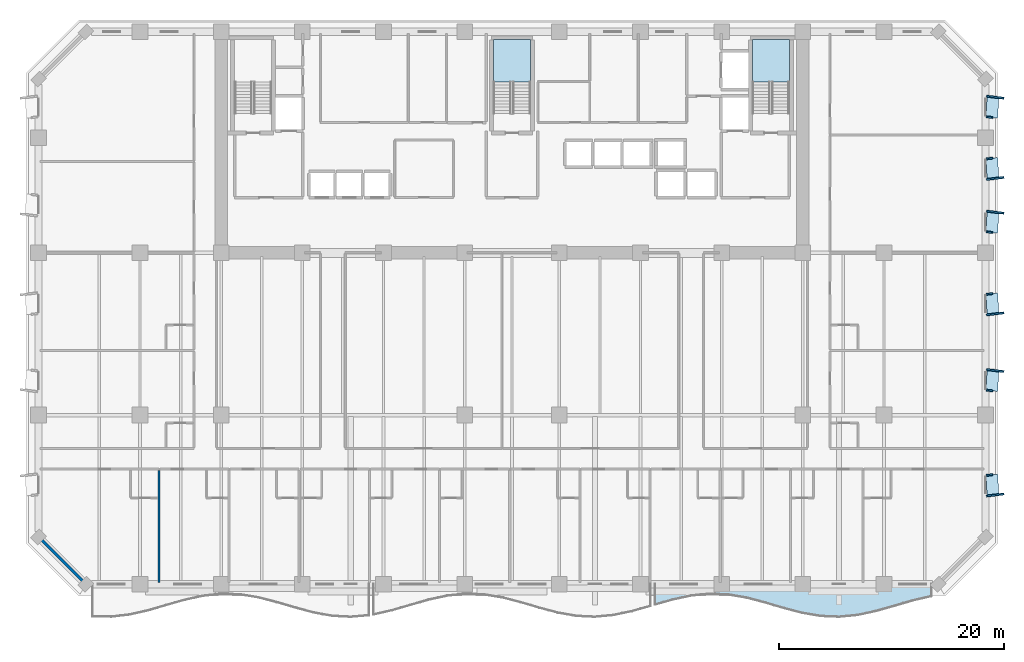
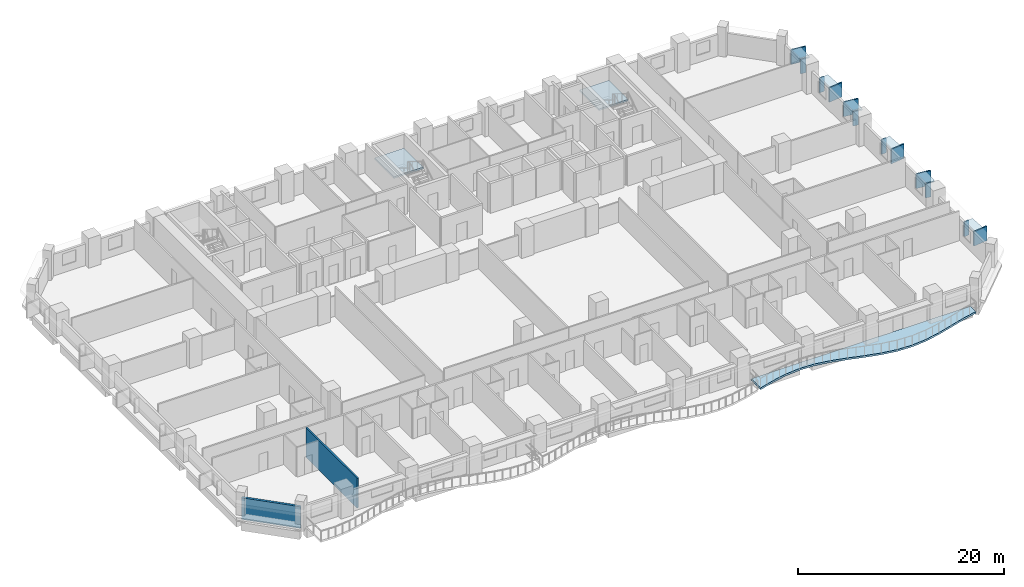
# One storey, part 3 of 15: 18 plates, 3 slabs, 2 walls, 2 elements without a shape of their own.
"""IFC4 building model written with IfcOpenShell, lengths in metres."""

from ifc_helpers import new_model, si_unit, direction, frame, frame_2d, origin, origin_2d, place, context, subcontext, project, spatial, polyline, rectangle, outline, extrude, material, layer, layer_set, type_object, element, aggregate, save


model = new_model("IFC4")

# Units and contexts
model_context = context("Model", 3, precision=1e-05, world=origin(), true_north=direction((0.0, 1.0)))
body_context = subcontext(model_context, "Body", "Model", "MODEL_VIEW")
ifc_project = project(units=[si_unit("LENGTHUNIT", "METRE"), si_unit("AREAUNIT", "SQUARE_METRE"), si_unit("VOLUMEUNIT", "CUBIC_METRE"), si_unit("PLANEANGLEUNIT", "RADIAN"), si_unit("MASSUNIT", "GRAM", prefix="KILO")], contexts=[model_context])

# Site, building, storey
site_placement = place(None, origin())
site = spatial("IfcSite", under=ifc_project, at=site_placement, CompositionType="ELEMENT")
building_placement = place(site_placement, origin())
building = spatial("IfcBuilding", under=site, at=building_placement, Name="Kaelvorn Grand Hotel", CompositionType="ELEMENT")
storey_placement = place(building_placement, frame((0.0, 0.0, 46.39990234375)))
storey = spatial("IfcBuildingStorey", under=building, at=storey_placement, Name="L09", CompositionType="ELEMENT", Elevation=46.39990234375)

# Plates
ifc_material_1 = material(Name="Precast concrete C45/55", Category="concrete")
ifc_layer_1 = layer(ifc_material_1, 0.159912109375)
ifc_layer_set_1 = layer_set([ifc_layer_1], Name="Precast concrete C45/55")
plate_type_1 = type_object("IfcPlateType", Name="PL-FRAME-DEEP-1550", PredefinedType="USERDEFINED", material=ifc_layer_set_1)
for number, where, z_axis, x_axis, name in (
    (1, (84.864990234375, 7.909912109375, 0.68994140625), (0.0, 0.0, 1.0), (-0.121869343405, 0.992546151641, 0.0), "L09 Tilted Precast Window Frame Fin L-E01"),
    (2, (84.864990234375, 18.955078125, 0.68994140625), (0.0, 0.0, 1.0), (0.121869343405, 0.992546151641, 0.0), "L09 Tilted Precast Window Frame Fin R-E02"),
    (3, (84.864990234375, 23.97509765625, 0.68994140625), (0.0, 0.0, 1.0), (-0.121869343405, 0.992546151641, 0.0), "L09 Tilted Precast Window Frame Fin L-E03"),
    (4, (84.864990234375, 33.0048828125, 0.68994140625), (0.0, 0.0, 1.0), (0.121869343405, 0.992546151641, 0.0), "L09 Tilted Precast Window Frame Fin R-E04"),
    (5, (84.864990234375, 35.9951171875, 0.68994140625), (0.0, 0.0, 1.0), (-0.121869343405, 0.992546151641, 0.0), "L09 Tilted Precast Window Frame Fin L-E05"),
    (6, (84.864990234375, 43.205078125, 0.68994140625), (0.0, 0.0, 1.0), (0.121869343405, 0.992546151641, 0.0), "L09 Tilted Precast Window Frame Fin R-E06"),
):
    element("IfcPlate", number, at=place(storey_placement, frame(where, z_axis=z_axis, x_axis=x_axis)), inside=storey, type_object=plate_type_1, Name=name, ObjectType="FLANGE_PLATE", PredefinedType="USERDEFINED", context=body_context, shape_type="SweptSolid", body=[
        extrude(rectangle(XDim=0.159912109375, YDim=1.550048828125, at=origin_2d()), origin(), (0.0, 0.0, 1.0), 1.719970703125),
    ])
ifc_layer_2 = layer(ifc_material_1, 0.159912109375)
ifc_layer_set_2 = layer_set([ifc_layer_2], Name="Precast concrete C45/55")
plate_type_2 = type_object("IfcPlateType", Name="PL-FRAME-HEAD-1050", PredefinedType="USERDEFINED", material=ifc_layer_set_2)
for number, where, z_axis, x_axis, name in (
    (7, (84.614990234375, 8.800048828125, 2.25), (0.0, 0.0, 1.0), (-0.054950179912, 0.998489097451, 0.0), "L09 Precast Window Frame Head Hood H-E01"),
    (8, (84.614990234375, 18.06494140625, 2.25), (0.0, 0.0, 1.0), (0.054950179912, 0.998489097451, 0.0), "L09 Precast Window Frame Head Hood H-E02"),
    (9, (84.614990234375, 24.864990234375, 2.25), (0.0, 0.0, 1.0), (-0.054950179912, 0.998489097451, 0.0), "L09 Precast Window Frame Head Hood H-E03"),
    (10, (84.614990234375, 32.114990234375, 2.25), (0.0, 0.0, 1.0), (0.054950179912, 0.998489097451, 0.0), "L09 Precast Window Frame Head Hood H-E04"),
    (11, (84.614990234375, 36.885009765625, 2.25), (0.0, 0.0, 1.0), (-0.054950179912, 0.998489097451, 0.0), "L09 Precast Window Frame Head Hood H-E05"),
    (12, (84.614990234375, 42.31494140625, 2.25), (0.0, 0.0, 1.0), (0.054950179912, 0.998489097451, 0.0), "L09 Precast Window Frame Head Hood H-E06"),
):
    element("IfcPlate", number, at=place(storey_placement, frame(where, z_axis=z_axis, x_axis=x_axis)), inside=storey, type_object=plate_type_2, Name=name, ObjectType="FLANGE_PLATE", PredefinedType="USERDEFINED", context=body_context, shape_type="SweptSolid", body=[
        extrude(rectangle(XDim=1.860107421875, YDim=1.050048828125, at=origin_2d()), origin(), (0.0, 0.0, 1.0), 0.159912109375),
    ])
ifc_layer_3 = layer(ifc_material_1, 0.159912109375)
ifc_layer_set_3 = layer_set([ifc_layer_3], Name="Precast concrete C45/55")
plate_type_3 = type_object("IfcPlateType", Name="PL-FRAME-SHAL-550", PredefinedType="USERDEFINED", material=ifc_layer_set_3)
for number, where, z_axis, x_axis, name in (
    (13, (84.364990234375, 9.68994140625, 0.68994140625), (0.0, 0.0, 1.0), (-0.121869343405, 0.992546151641, 0.0), "L09 Tilted Precast Window Frame Fin R-E01"),
    (14, (84.364990234375, 17.175048828125, 0.68994140625), (0.0, 0.0, 1.0), (0.121869343405, 0.992546151641, 0.0), "L09 Tilted Precast Window Frame Fin L-E02"),
    (15, (84.364990234375, 25.7548828125, 0.68994140625), (0.0, 0.0, 1.0), (-0.121869343405, 0.992546151641, 0.0), "L09 Tilted Precast Window Frame Fin R-E03"),
    (16, (84.364990234375, 31.22509765625, 0.68994140625), (0.0, 0.0, 1.0), (0.121869343405, 0.992546151641, 0.0), "L09 Tilted Precast Window Frame Fin L-E04"),
    (17, (84.364990234375, 37.77490234375, 0.68994140625), (0.0, 0.0, 1.0), (-0.121869343405, 0.992546151641, 0.0), "L09 Tilted Precast Window Frame Fin R-E05"),
    (18, (84.364990234375, 41.425048828125, 0.68994140625), (0.0, 0.0, 1.0), (0.121869343405, 0.992546151641, 0.0), "L09 Tilted Precast Window Frame Fin L-E06"),
):
    element("IfcPlate", number, at=place(storey_placement, frame(where, z_axis=z_axis, x_axis=x_axis)), inside=storey, type_object=plate_type_3, Name=name, ObjectType="FLANGE_PLATE", PredefinedType="USERDEFINED", context=body_context, shape_type="SweptSolid", body=[
        extrude(rectangle(XDim=0.159912109375, YDim=0.550048828125, at=origin_2d()), origin(), (0.0, 0.0, 1.0), 1.719970703125),
    ])

# Slab
ifc_material_2 = material(Name="Concrete C40/50", Category="concrete")
ifc_layer_4 = layer(ifc_material_2, 0.219970703125)
ifc_layer_set_4 = layer_set([ifc_layer_4], Name="Concrete C40/50")
slab_type_1 = type_object("IfcSlabType", Name="SLB-BALC-220-C40", PredefinedType="FLOOR", material=ifc_layer_set_4)
slab_1_placement = place(storey_placement, frame((0.0, 0.0, -0.219970703125)))
element("IfcSlab", 19, at=slab_1_placement, inside=storey, type_object=slab_type_1, Name="L09 Scalloped Wave Balcony Slab 3", PredefinedType="FLOOR", context=body_context, shape_type="SweptSolid", body=[
    extrude(outline(polyline([(54.666748046875, -1.8193359375), (56.30224609375, -1.356689453125), (57.937744140625, -1.00927734375), (59.5732421875, -0.85400390625), (61.208984375, -0.925537109375), (62.844482421875, -1.2080078125), (64.47998046875, -1.638671875), (66.115478515625, -2.12158203125), (67.751220703125, -2.550048828125), (69.38671875, -2.828369140625), (71.022216796875, -2.89501953125), (72.65771484375, -2.735107421875), (74.293212890625, -2.384033203125), (75.928955078125, -1.919921875), (77.564453125, -1.446044921875), (79.199951171875, -1.0673828125), (79.199951171875, 0.0), (54.666748046875, 0.0), (54.666748046875, -1.8193359375)])), origin(), (0.0, 0.0, 1.0), 0.219970703125),
])

# Stair, slab
stair_type = type_object("IfcStairType", Name="STR-DOG-1560-R06", PredefinedType="HALF_TURN_STAIR", material=ifc_material_2)
stair_1_placement = place(storey_placement, origin())
stair_1 = element("IfcStair", 20, at=stair_1_placement, inside=storey, type_object=stair_type, Name="L09 Central Core Exit Stair ST2", PredefinedType="HALF_TURN_STAIR")
ifc_layer_5 = layer(ifc_material_2, 0.199951171875)
ifc_layer_set_5 = layer_set([ifc_layer_5], Name="Concrete C40/50")
slab_type_2 = type_object("IfcSlabType", Name="SLB-LAND-200-C40", PredefinedType="LANDING", material=ifc_layer_set_5)
slab_2_placement = place(storey_placement, frame((0.0, 0.0, 1.675048828125)))
slab_2 = element("IfcSlab", 21, at=slab_2_placement, type_object=slab_type_2, Name="ST2 landing 1", PredefinedType="LANDING", context=body_context, shape_type="SweptSolid", body=[
    extrude(outline(polyline([(43.639892578125, 44.56005859375), (43.639892578125, 48.300048828125), (40.360107421875, 48.300048828125), (40.360107421875, 44.56005859375), (43.639892578125, 44.56005859375)])), origin(), (0.0, 0.0, 1.0), 0.199951171875),
])
aggregate(stair_1, [slab_2])

stair_2_placement = place(storey_placement, origin())
stair_2 = element("IfcStair", 22, at=stair_2_placement, inside=storey, type_object=stair_type, Name="L09 East Core Exit Stair ST3", PredefinedType="HALF_TURN_STAIR")
slab_3_placement = place(storey_placement, frame((0.0, 0.0, 1.675048828125)))
slab_3 = element("IfcSlab", 23, at=slab_3_placement, type_object=slab_type_2, Name="ST3 landing 1", PredefinedType="LANDING", context=body_context, shape_type="SweptSolid", body=[
    extrude(outline(polyline([(66.60009765625, 44.56005859375), (66.60009765625, 48.300048828125), (63.320068359375, 48.300048828125), (63.320068359375, 44.56005859375), (66.60009765625, 44.56005859375)])), origin(), (0.0, 0.0, 1.0), 0.199951171875),
])
aggregate(stair_2, [slab_3])

# Walls
ifc_layer_6 = layer(ifc_material_2, 0.260009765625)
ifc_layer_set_6 = layer_set([ifc_layer_6], Name="Concrete C40/50")
wall_type_1 = type_object("IfcWallType", Name="WL-EXT-260-C40", PredefinedType="SOLIDWALL", material=ifc_layer_set_6)
wall_1_placement = place(storey_placement, frame((0.0, 4.199951171875, 0.0), z_axis=(0.0, 0.0, 1.0), x_axis=(0.707106781187, -0.707106781187, 0.0)))
element("IfcWall", 24, at=wall_1_placement, inside=storey, type_object=wall_type_1, Name="L09 Exterior Architectural Concrete Wall 08", PredefinedType="SOLIDWALL", context=body_context, shape_type="SweptSolid", body=[
    extrude(rectangle(XDim=5.939697265625, YDim=0.260009765625, at=frame_2d((2.9697265625, 0.0))), origin(), (0.0, 0.0, 1.0), 2.56005859375),
])
ifc_material_3 = material(Name="Acoustic Gypsum & Stud Partition")
ifc_layer_7 = layer(ifc_material_3, 0.179931640625)
ifc_layer_set_7 = layer_set([ifc_layer_7], Name="Acoustic Gypsum & Stud Partition")
wall_type_2 = type_object("IfcWallType", Name="WL-PART-180-EI60", PredefinedType="PARTITIONING", material=ifc_layer_set_7)
wall_2_placement = place(storey_placement, frame((10.6748046875, 0.14990234375, 0.0), z_axis=(0.0, 0.0, 1.0), x_axis=(0.0, 1.0, 0.0)))
element("IfcWall", 25, at=wall_2_placement, inside=storey, type_object=wall_type_2, Name="L09 Deluxe Panoramic Suite L09-01 E Partition", PredefinedType="PARTITIONING", context=body_context, shape_type="SweptSolid", body=[
    extrude(rectangle(XDim=9.955078125, YDim=0.179931640625, at=frame_2d((4.9775390625, 0.0))), origin(), (0.0, 0.0, 1.0), 3.510009765625),
])

save(model, "model.ifc")
